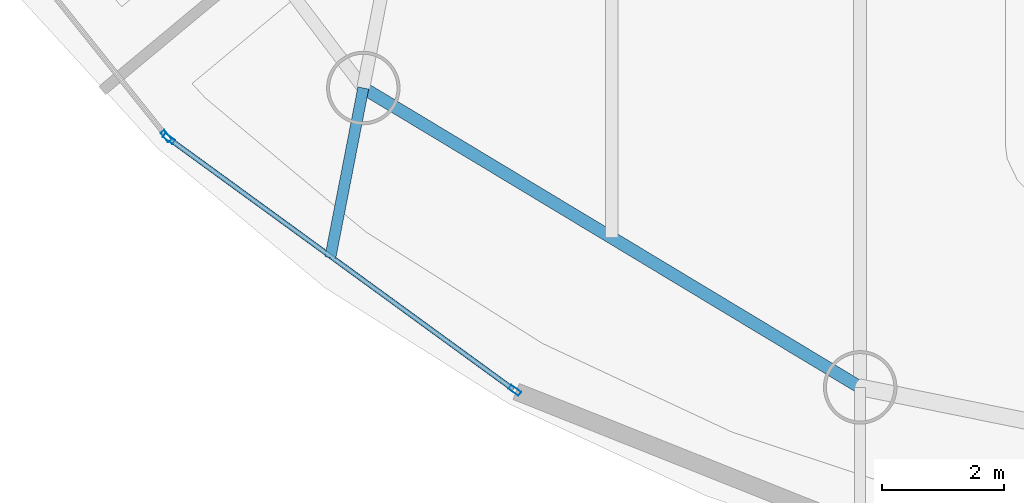
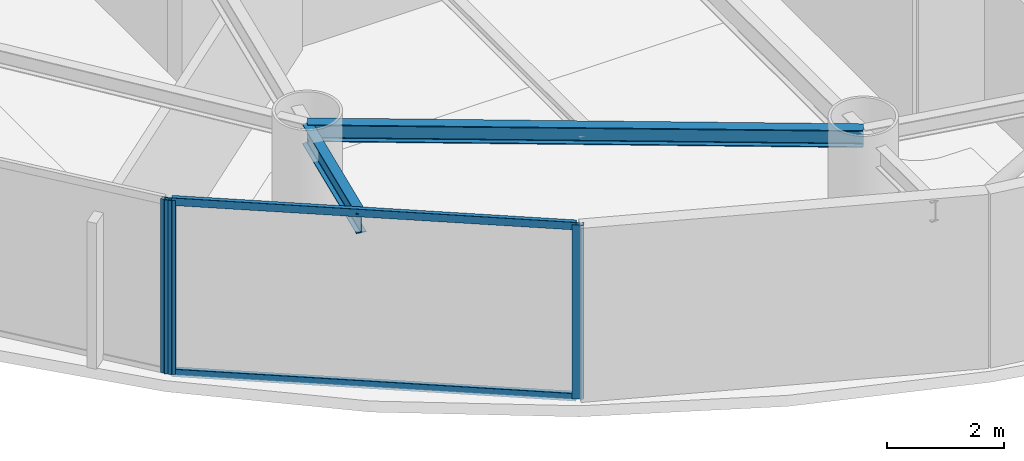
# One storey, part 2 of 18: 5 members, 2 beams, 2 elements without a shape of their own.
"""IFC4 building model written with IfcOpenShell, lengths in metres."""

from ifc_helpers import new_model, si_unit, direction, frame, origin, origin_2d, place, context, subcontext, project, spatial, hollow_rectangle, i_section, extrude, material, layer, layer_set, material_profile, profile_set, type_object, element, aggregate, save


model = new_model("IFC4")

# Units and contexts
model_context = context("Model", 3, precision=1e-05, world=origin(), true_north=direction((0.0, 1.0)))
body_context = subcontext(model_context, "Body", "Model", "MODEL_VIEW")
ifc_project = project(units=[si_unit("LENGTHUNIT", "METRE"), si_unit("AREAUNIT", "SQUARE_METRE"), si_unit("VOLUMEUNIT", "CUBIC_METRE"), si_unit("PLANEANGLEUNIT", "RADIAN"), si_unit("MASSUNIT", "GRAM", prefix="KILO")], contexts=[model_context])

# Site, building, storey
site_placement = place(None, origin())
site = spatial("IfcSite", under=ifc_project, at=site_placement, CompositionType="ELEMENT")
building_placement = place(site_placement, origin())
building = spatial("IfcBuilding", under=site, at=building_placement, Name="Bramvorn Convention Spire", CompositionType="ELEMENT")
storey_placement = place(building_placement, frame((0.0, 0.0, 205.85009765625)))
storey = spatial("IfcBuildingStorey", under=building, at=storey_placement, Name="L52", CompositionType="ELEMENT", Elevation=205.85009765625)

# Beams
ifc_material_1 = material(Name="Steel CSA G40.21 Grade 350 (350W)", Category="steel")
ifc_material_profile_1 = material_profile(ifc_material_1, i_section(OverallWidth=0.205078125, OverallDepth=0.35400390625, WebThickness=0.009521484375, FlangeThickness=0.016845703125, FilletRadius=0.014892578125, at=origin_2d()))
ifc_profile_set_1 = profile_set([ifc_material_profile_1], Name="Steel CSA G40.21 Grade 350 (350W) - W360X79")
beam_type_1 = type_object("IfcBeamType", Name="BM-W360X79", PredefinedType="JOIST", material=ifc_profile_set_1)
beam_1_placement = place(storey_placement, frame((25.498046875, 12.114990234375, 3.44287109375), z_axis=(0.856581795745, -0.516011266543, 0.0), x_axis=(0.516011266543, 0.856581795745, 0.0)))
element("IfcBeam", 1, at=beam_1_placement, inside=storey, type_object=beam_type_1, Name="L52 mega-column ring beam 13", PredefinedType="JOIST", context=body_context, shape_type="SweptSolid", body=[
    extrude(i_section(OverallWidth=0.205078125, OverallDepth=0.35400390625, WebThickness=0.009521484375, FlangeThickness=0.016845703125, FilletRadius=0.014892578125, at=origin_2d()), origin(), (0.0, 0.0, 1.0), 9.47119140625),
])
ifc_material_profile_2 = material_profile(ifc_material_1, i_section(OverallWidth=0.180908203125, OverallDepth=0.4169921875, WebThickness=0.010986328125, FlangeThickness=0.018310546875, FilletRadius=0.01611328125, at=origin_2d()))
ifc_profile_set_2 = profile_set([ifc_material_profile_2], Name="Steel CSA G40.21 Grade 350 (350W) - W410X85")
beam_type_2 = type_object("IfcBeamType", Name="BM-W410X85", PredefinedType="JOIST", material=ifc_profile_set_2)
beam_2_placement = place(storey_placement, frame((25.498046875, 12.114990234375, 3.37646484375), z_axis=(-0.190987785938, -0.981592413185, 0.0), x_axis=(0.981592413185, -0.190987785938, 0.0)))
element("IfcBeam", 2, at=beam_2_placement, inside=storey, type_object=beam_type_2, Name="L52 Sky-Garden cantilever tip girder MC13", PredefinedType="JOIST", context=body_context, shape_type="SweptSolid", body=[
    extrude(i_section(OverallWidth=0.180908203125, OverallDepth=0.4169921875, WebThickness=0.010986328125, FlangeThickness=0.018310546875, FilletRadius=0.01611328125, at=origin_2d()), origin(), (0.0, 0.0, 1.0), 2.8212890625),
])

# Curtain wall, member
ifc_material_2 = material(Name="Anodised Bronze Unitised Curtain Wall", Category="aluminium")
ifc_layer = layer(ifc_material_2, 0.179931640625)
ifc_layer_set = layer_set([ifc_layer], Name="Anodised Bronze Unitised Curtain Wall - CW-OFF-FRIT")
curtain_wall_type = type_object("IfcCurtainWallType", Name="CW-OFF-FRIT", PredefinedType="USERDEFINED", material=ifc_layer_set)
curtain_wall_1_placement = place(storey_placement, origin())
curtain_wall_1 = element("IfcCurtainWall", 3, at=curtain_wall_1_placement, inside=storey, type_object=curtain_wall_type, Name="L52 fritted glass curtain wall 18", ObjectType="UNITISED CURTAIN WALL", PredefinedType="USERDEFINED")
ifc_material_3 = material(Name="Anodised Bronze Aluminium 6063-T6", Category="aluminium")
ifc_material_profile_3 = material_profile(ifc_material_3, hollow_rectangle(XDim=0.080078125, YDim=0.199951171875, WallThickness=0.00390625, InnerFilletRadius=0.0009765625, OuterFilletRadius=0.00390625, at=origin_2d()))
ifc_profile_set_3 = profile_set([ifc_material_profile_3], Name="Anodised Bronze Aluminium 6063-T6 - CWM80X200")
member_type_1 = type_object("IfcMemberType", Name="CW-MUL-180", PredefinedType="MULLION", material=ifc_profile_set_3)
member_1_placement = place(storey_placement, frame((22.2802734375, 11.330078125, 0.0), z_axis=(0.0, 0.0, 1.0), x_axis=(-0.780929733084, -0.624618885389, 0.0)))
member_1 = element("IfcMember", 4, at=member_1_placement, type_object=member_type_1, Name="CW3 mullion 1", PredefinedType="MULLION", context=body_context, shape_type="SweptSolid", body=[
    extrude(hollow_rectangle(XDim=0.080078125, YDim=0.199951171875, WallThickness=0.00390625, InnerFilletRadius=0.0009765625, OuterFilletRadius=0.00390625, at=origin_2d()), origin(), (0.0, 0.0, 1.0), 3.619873046875),
])
aggregate(curtain_wall_1, [member_1])

# Curtain wall, members
curtain_wall_2_placement = place(storey_placement, origin())
curtain_wall_2 = element("IfcCurtainWall", 5, at=curtain_wall_2_placement, inside=storey, type_object=curtain_wall_type, Name="L52 fritted glass curtain wall 19", ObjectType="UNITISED CURTAIN WALL", PredefinedType="USERDEFINED")
member_2_placement = place(storey_placement, frame((27.970703125, 7.177734375, 0.0), z_axis=(0.0, 0.0, 1.0), x_axis=(-0.588550553922, -0.808460416766, 0.0)))
member_2 = element("IfcMember", 6, at=member_2_placement, type_object=member_type_1, Name="CW3 mullion 1", PredefinedType="MULLION", context=body_context, shape_type="SweptSolid", body=[
    extrude(hollow_rectangle(XDim=0.080078125, YDim=0.199951171875, WallThickness=0.00390625, InnerFilletRadius=0.0009765625, OuterFilletRadius=0.00390625, at=origin_2d()), origin(), (0.0, 0.0, 1.0), 3.619873046875),
])
member_3_placement = place(storey_placement, frame((22.3232421875, 11.2890625, 0.0), z_axis=(0.0, 0.0, 1.0), x_axis=(-0.588550553922, -0.808460416766, 0.0)))
member_3 = element("IfcMember", 7, at=member_3_placement, type_object=member_type_1, Name="CW3 mullion 2", PredefinedType="MULLION", context=body_context, shape_type="SweptSolid", body=[
    extrude(hollow_rectangle(XDim=0.080078125, YDim=0.199951171875, WallThickness=0.00390625, InnerFilletRadius=0.0009765625, OuterFilletRadius=0.00390625, at=origin_2d()), origin(), (0.0, 0.0, 1.0), 3.619873046875),
])
ifc_material_profile_4 = material_profile(ifc_material_3, hollow_rectangle(XDim=0.080078125, YDim=0.159912109375, WallThickness=0.00390625, InnerFilletRadius=0.0009765625, OuterFilletRadius=0.00390625, at=origin_2d()))
ifc_profile_set_4 = profile_set([ifc_material_profile_4], Name="Anodised Bronze Aluminium 6063-T6 - CWT80X160")
member_type_2 = type_object("IfcMemberType", Name="CW-TRN-150", PredefinedType="USERDEFINED", material=ifc_profile_set_4)
member_4_placement = place(storey_placement, frame((27.946533203125, 7.1953125, 0.02978515625), z_axis=(-0.808455505565, 0.588557300118, 0.0), x_axis=(-0.588557300118, -0.808455505565, 0.0)))
member_4 = element("IfcMember", 8, at=member_4_placement, type_object=member_type_2, Name="CW3 transom 1.1", ObjectType="TRANSOM", PredefinedType="USERDEFINED", context=body_context, shape_type="SweptSolid", body=[
    extrude(hollow_rectangle(XDim=0.080078125, YDim=0.159912109375, WallThickness=0.00390625, InnerFilletRadius=0.0009765625, OuterFilletRadius=0.00390625, at=origin_2d()), origin(), (0.0, 0.0, 1.0), 6.92578125),
])
member_5_placement = place(storey_placement, frame((27.946533203125, 7.1953125, 3.58984375), z_axis=(-0.808455505565, 0.588557300118, 0.0), x_axis=(-0.588557300118, -0.808455505565, 0.0)))
member_5 = element("IfcMember", 9, at=member_5_placement, type_object=member_type_2, Name="CW3 transom 1.2", ObjectType="TRANSOM", PredefinedType="USERDEFINED", context=body_context, shape_type="SweptSolid", body=[
    extrude(hollow_rectangle(XDim=0.080078125, YDim=0.159912109375, WallThickness=0.00390625, InnerFilletRadius=0.0009765625, OuterFilletRadius=0.00390625, at=origin_2d()), origin(), (0.0, 0.0, 1.0), 6.92578125),
])
aggregate(curtain_wall_2, [member_2, member_3, member_4, member_5])

save(model, "model.ifc")
